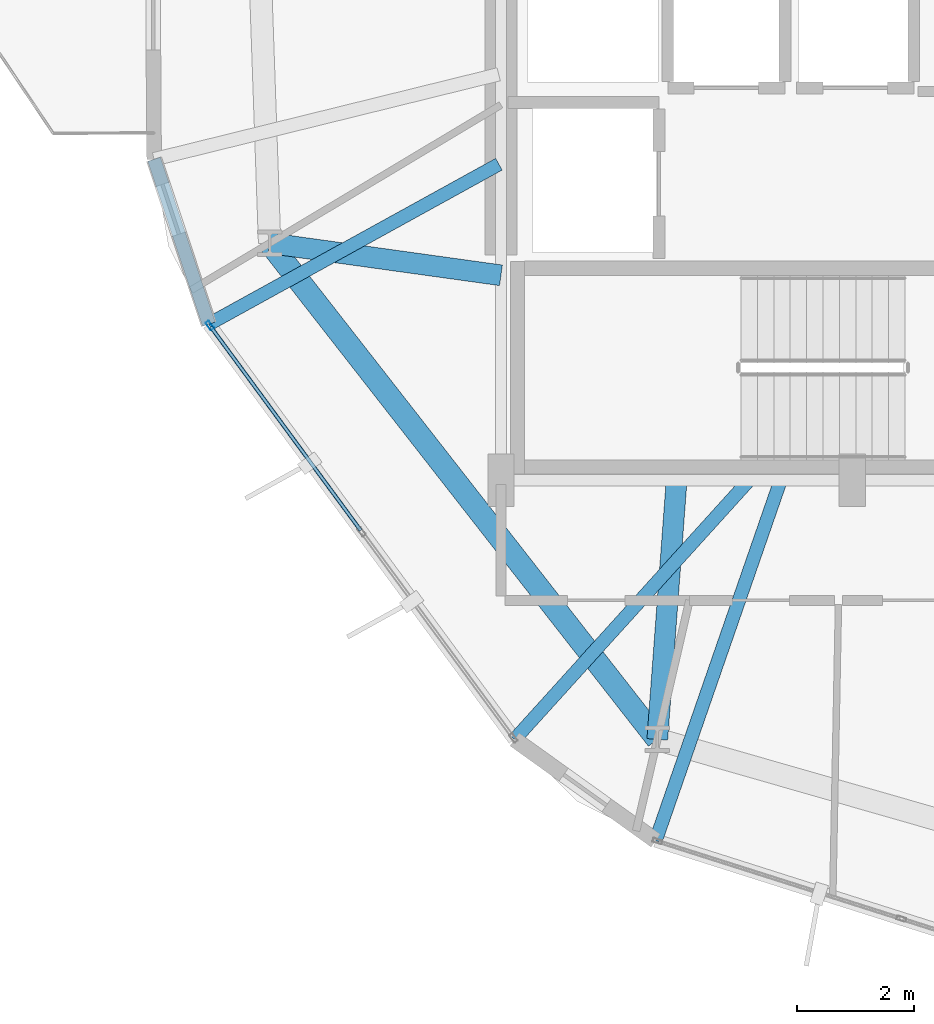
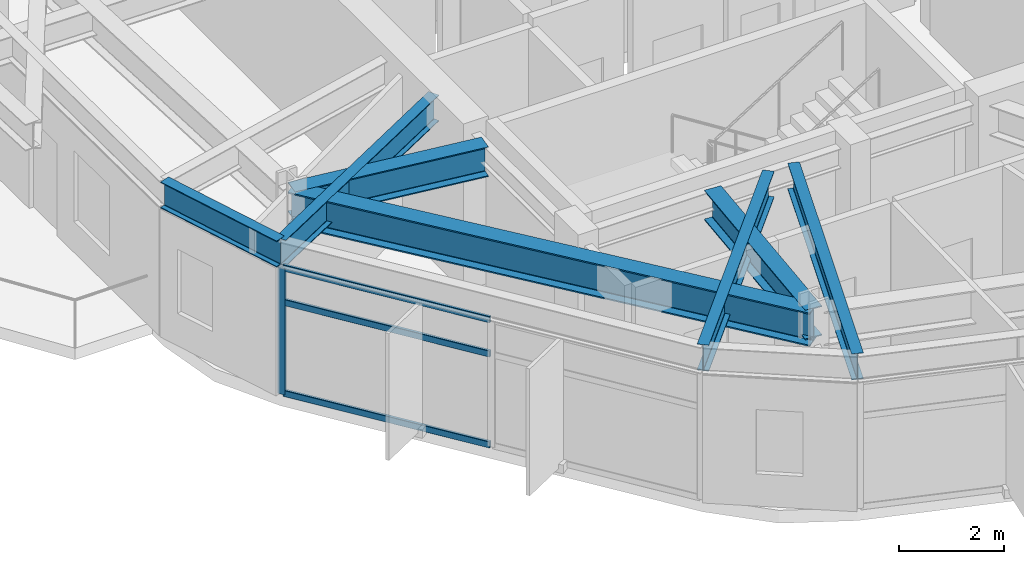
# One storey, part 3 of 27: 7 beams, 4 members, 1 element without a shape of its own.
"""IFC4 building model written with IfcOpenShell, lengths in metres."""

from ifc_helpers import new_model, si_unit, direction, frame, origin, origin_2d, place, context, subcontext, project, spatial, hollow_rectangle, i_section, extrude, material, layer, layer_set, material_profile, profile_set, type_object, element, aggregate, save


model = new_model("IFC4")

# Units and contexts
model_context = context("Model", 3, precision=1e-05, world=origin(), true_north=direction((0.0, 1.0)))
body_context = subcontext(model_context, "Body", "Model", "MODEL_VIEW")
ifc_project = project(units=[si_unit("LENGTHUNIT", "METRE"), si_unit("AREAUNIT", "SQUARE_METRE"), si_unit("VOLUMEUNIT", "CUBIC_METRE"), si_unit("PLANEANGLEUNIT", "RADIAN"), si_unit("MASSUNIT", "GRAM", prefix="KILO")], contexts=[model_context])

# Site, building, storey
site_placement = place(None, origin())
site = spatial("IfcSite", under=ifc_project, at=site_placement, CompositionType="ELEMENT")
building_placement = place(site_placement, origin())
building = spatial("IfcBuilding", under=site, at=building_placement, Name="Soratama Intermodal Tower", CompositionType="ELEMENT")
storey_placement = place(building_placement, frame((0.0, 0.0, 99.10009765625)))
storey = spatial("IfcBuildingStorey", under=building, at=storey_placement, Name="L23", CompositionType="ELEMENT", Elevation=99.10009765625)

# Beams
ifc_material_1 = material(Name="Structural steel ASTM A992 Grade 50", Category="steel")
ifc_material_profile_1 = material_profile(ifc_material_1, i_section(OverallWidth=0.35498046875, OverallDepth=0.695068359375, WebThickness=0.015380859375, FlangeThickness=0.02490234375, FilletRadius=0.01611328125, at=origin_2d()), Name="W27X146")
ifc_profile_set_1 = profile_set([ifc_material_profile_1], Name="Structural steel ASTM A992 Grade 50")
beam_type_1 = type_object("IfcBeamType", Name="BM-RING-W27X146", PredefinedType="BEAM", material=ifc_profile_set_1)
beam_1_placement = place(storey_placement, frame((32.60009765625, 18.5, 3.25244140625), z_axis=(-0.990482077962, 0.137641756879, 0.0), x_axis=(-0.137641756879, -0.990482077962, 0.0)))
element("IfcBeam", 1, at=beam_1_placement, inside=storey, type_object=beam_type_1, Name="BM-L23-RAD-06", PredefinedType="BEAM", context=body_context, shape_type="SweptSolid", body=[
    extrude(i_section(OverallWidth=0.35498046875, OverallDepth=0.695068359375, WebThickness=0.015380859375, FlangeThickness=0.02490234375, FilletRadius=0.01611328125, at=origin_2d()), origin(), (0.0, 0.0, 1.0), 3.9892578125),
])
beam_2_placement = place(storey_placement, frame((35.60009765625, 15.0, 3.25244140625), z_axis=(-0.074386442563, -0.997229490721, 0.0), x_axis=(0.997229490721, -0.074386442563, 0.0)))
element("IfcBeam", 2, at=beam_2_placement, inside=storey, type_object=beam_type_1, Name="BM-L23-RAD-07", PredefinedType="BEAM", context=body_context, shape_type="SweptSolid", body=[
    extrude(i_section(OverallWidth=0.35498046875, OverallDepth=0.695068359375, WebThickness=0.015380859375, FlangeThickness=0.02490234375, FilletRadius=0.01611328125, at=origin_2d()), origin(), (0.0, 0.0, 1.0), 4.437255859375),
])
ifc_material_2 = material(Name="Structural steel ASTM A992 Grade 50", Category="steel")
ifc_material_profile_2 = material_profile(ifc_material_2, i_section(OverallWidth=0.382080078125, OverallDepth=0.779052734375, WebThickness=0.01806640625, FlangeThickness=0.030029296875, FilletRadius=0.01806640625, at=origin_2d()), Name="W30X191")
ifc_profile_set_2 = profile_set([ifc_material_profile_2], Name="Structural steel ASTM A992 Grade 50")
beam_type_2 = type_object("IfcBeamType", Name="BM-RING-W30X191", PredefinedType="BEAM", material=ifc_profile_set_2)
beam_3_placement = place(storey_placement, frame((28.64892578125, 19.049072265625, 3.21044921875), z_axis=(0.615683690883, -0.787993396407, 0.0), x_axis=(0.787993396407, 0.615683690883, 0.0)))
element("IfcBeam", 3, at=beam_3_placement, inside=storey, type_object=beam_type_2, Name="BM-L23-RING-06", PredefinedType="BEAM", context=body_context, shape_type="SweptSolid", body=[
    extrude(i_section(OverallWidth=0.382080078125, OverallDepth=0.779052734375, WebThickness=0.01806640625, FlangeThickness=0.030029296875, FilletRadius=0.01806640625, at=origin_2d()), origin(), (0.0, 0.0, 1.0), 10.754150390625),
])
ifc_material_3 = material(Name="Structural steel ASTM A992 Grade 50", Category="steel")
ifc_material_profile_3 = material_profile(ifc_material_3, i_section(OverallWidth=0.22900390625, OverallDepth=0.612060546875, WebThickness=0.011962890625, FlangeThickness=0.01953125, FilletRadius=0.012939453125, at=origin_2d()), Name="W24X84")
ifc_profile_set_3 = profile_set([ifc_material_profile_3], Name="Structural steel ASTM A992 Grade 50")
beam_type_3 = type_object("IfcBeamType", Name="BM-SPN-W24X84", PredefinedType="SPANDREL", material=ifc_profile_set_3)
beam_4_placement = place(storey_placement, frame((26.676025390625, 20.48193359375, 3.2939453125), z_axis=(0.315141431642, -0.949044718684, 0.0), x_axis=(0.949044718684, 0.315141431642, 0.0)))
element("IfcBeam", 4, at=beam_4_placement, inside=storey, type_object=beam_type_3, Name="BS-L23-CRN05", PredefinedType="SPANDREL", context=body_context, shape_type="SweptSolid", body=[
    extrude(i_section(OverallWidth=0.22900390625, OverallDepth=0.612060546875, WebThickness=0.011962890625, FlangeThickness=0.01953125, FilletRadius=0.012939453125, at=origin_2d()), origin(), (0.0, 0.0, 1.0), 2.967041015625),
])
ifc_material_4 = material(Name="Structural steel ASTM A992 Grade 50", Category="steel")
ifc_material_profile_4 = material_profile(ifc_material_4, i_section(OverallWidth=0.22900390625, OverallDepth=0.612060546875, WebThickness=0.011962890625, FlangeThickness=0.01953125, FilletRadius=0.012939453125, at=origin_2d()), Name="W24X84")
ifc_profile_set_4 = profile_set([ifc_material_profile_4], Name="Structural steel ASTM A992 Grade 50")
beam_type_4 = type_object("IfcBeamType", Name="BM-TIE-W24X84", PredefinedType="BEAM", material=ifc_profile_set_4)
beam_5_placement = place(storey_placement, frame((32.56494140625, 20.39697265625, 3.2939453125), z_axis=(-0.875742558439, -0.482778387398, 0.0), x_axis=(0.482778387398, -0.875742558439, 0.0)))
element("IfcBeam", 5, at=beam_5_placement, inside=storey, type_object=beam_type_4, Name="BM-L23-TIE0-06", PredefinedType="BEAM", context=body_context, shape_type="SweptSolid", body=[
    extrude(i_section(OverallWidth=0.22900390625, OverallDepth=0.612060546875, WebThickness=0.011962890625, FlangeThickness=0.01953125, FilletRadius=0.012939453125, at=origin_2d()), origin(), (0.0, 0.0, 1.0), 5.65673828125),
])
beam_6_placement = place(storey_placement, frame((36.81103515625, 14.969970703125, 3.2939453125), z_axis=(-0.671068562264, -0.741395295872, 0.0), x_axis=(0.741395295872, -0.671068562264, 0.0)))
element("IfcBeam", 6, at=beam_6_placement, inside=storey, type_object=beam_type_4, Name="BM-L23-TIE1-06", PredefinedType="BEAM", context=body_context, shape_type="SweptSolid", body=[
    extrude(i_section(OverallWidth=0.22900390625, OverallDepth=0.612060546875, WebThickness=0.011962890625, FlangeThickness=0.01953125, FilletRadius=0.012939453125, at=origin_2d()), origin(), (0.0, 0.0, 1.0), 5.929443359375),
])
beam_7_placement = place(storey_placement, frame((37.364013671875, 14.9619140625, 3.2939453125), z_axis=(-0.327754156637, -0.944763045852, 0.0), x_axis=(0.944763045852, -0.327754156637, 0.0)))
element("IfcBeam", 7, at=beam_7_placement, inside=storey, type_object=beam_type_4, Name="BM-L23-TIE0-07", PredefinedType="BEAM", context=body_context, shape_type="SweptSolid", body=[
    extrude(i_section(OverallWidth=0.22900390625, OverallDepth=0.612060546875, WebThickness=0.011962890625, FlangeThickness=0.01953125, FilletRadius=0.012939453125, at=origin_2d()), origin(), (0.0, 0.0, 1.0), 6.474609375),
])

# Curtain wall, members
ifc_material_5 = material(Name="Double-glazed aluminium curtain wall", Category="aluminium")
ifc_layer = layer(ifc_material_5, 0.159912109375)
ifc_layer_set = layer_set([ifc_layer], Name="Double-glazed aluminium curtain wall")
curtain_wall_type = type_object("IfcCurtainWallType", Name="CW-SYS-3", PredefinedType="NOTDEFINED", material=ifc_layer_set)
curtain_wall_placement = place(storey_placement, origin())
curtain_wall = element("IfcCurtainWall", 8, at=curtain_wall_placement, inside=storey, type_object=curtain_wall_type, Name="L23 Faceted Curtain Wall F06", PredefinedType="NOTDEFINED")
ifc_material_6 = material(Name="Anodised aluminium AA 6063-T6", Category="aluminium")
ifc_material_profile_5 = material_profile(ifc_material_6, hollow_rectangle(XDim=0.070068359375, YDim=0.159912109375, WallThickness=0.0048828125, InnerFilletRadius=0.0048828125, OuterFilletRadius=0.010009765625, at=origin_2d()), Name="CWM160X70X5")
ifc_profile_set_5 = profile_set([ifc_material_profile_5], Name="Anodised aluminium AA 6063-T6")
member_type_1 = type_object("IfcMemberType", Name="MT-CWM-3", PredefinedType="MULLION", material=ifc_profile_set_5)
member_1_placement = place(storey_placement, frame((27.62841796875, 17.641845703125, 0.0), z_axis=(0.0, 0.0, 1.0), x_axis=(0.805309777215, 0.592854250826, 0.0)))
member_1 = element("IfcMember", 9, at=member_1_placement, type_object=member_type_1, Name="CW-3 mullion 1", PredefinedType="MULLION", context=body_context, shape_type="SweptSolid", body=[
    extrude(hollow_rectangle(XDim=0.070068359375, YDim=0.159912109375, WallThickness=0.0048828125, InnerFilletRadius=0.0048828125, OuterFilletRadius=0.010009765625, at=origin_2d()), origin(), (0.0, 0.0, 1.0), 2.97900390625),
])
ifc_material_7 = material(Name="Anodised aluminium AA 6063-T6", Category="aluminium")
ifc_material_profile_6 = material_profile(ifc_material_7, hollow_rectangle(XDim=0.06494140625, YDim=0.14990234375, WallThickness=0.0048828125, InnerFilletRadius=0.0048828125, OuterFilletRadius=0.010009765625, at=origin_2d()), Name="CWT150X65X5")
ifc_profile_set_6 = profile_set([ifc_material_profile_6], Name="Anodised aluminium AA 6063-T6")
member_type_2 = type_object("IfcMemberType", Name="TT-CWT-1", PredefinedType="USERDEFINED", material=ifc_profile_set_6)
member_2_placement = place(storey_placement, frame((27.646240234375, 17.61767578125, 0.02978515625), z_axis=(0.592839861854, -0.805320369913, 0.0), x_axis=(0.805320369913, 0.592839861854, 0.0)))
member_2 = element("IfcMember", 10, at=member_2_placement, type_object=member_type_2, Name="CW-3 transom 1.1", ObjectType="TRANSOM", PredefinedType="USERDEFINED", context=body_context, shape_type="SweptSolid", body=[
    extrude(hollow_rectangle(XDim=0.06494140625, YDim=0.14990234375, WallThickness=0.0048828125, InnerFilletRadius=0.0048828125, OuterFilletRadius=0.010009765625, at=origin_2d()), origin(), (0.0, 0.0, 1.0), 4.3134765625),
])
member_3_placement = place(storey_placement, frame((27.646240234375, 17.61767578125, 2.14990234375), z_axis=(0.592839861854, -0.805320369913, 0.0), x_axis=(0.805320369913, 0.592839861854, 0.0)))
member_3 = element("IfcMember", 11, at=member_3_placement, type_object=member_type_2, Name="CW-3 transom 1.2", ObjectType="TRANSOM", PredefinedType="USERDEFINED", context=body_context, shape_type="SweptSolid", body=[
    extrude(hollow_rectangle(XDim=0.06494140625, YDim=0.14990234375, WallThickness=0.0048828125, InnerFilletRadius=0.0048828125, OuterFilletRadius=0.010009765625, at=origin_2d()), origin(), (0.0, 0.0, 1.0), 4.3134765625),
])
member_4_placement = place(storey_placement, frame((27.646240234375, 17.61767578125, 2.948974609375), z_axis=(0.592839861854, -0.805320369913, 0.0), x_axis=(0.805320369913, 0.592839861854, 0.0)))
member_4 = element("IfcMember", 12, at=member_4_placement, type_object=member_type_2, Name="CW-3 transom 1.3", ObjectType="TRANSOM", PredefinedType="USERDEFINED", context=body_context, shape_type="SweptSolid", body=[
    extrude(hollow_rectangle(XDim=0.06494140625, YDim=0.14990234375, WallThickness=0.0048828125, InnerFilletRadius=0.0048828125, OuterFilletRadius=0.010009765625, at=origin_2d()), origin(), (0.0, 0.0, 1.0), 4.3134765625),
])
aggregate(curtain_wall, [member_1, member_2, member_3, member_4])

save(model, "model.ifc")
